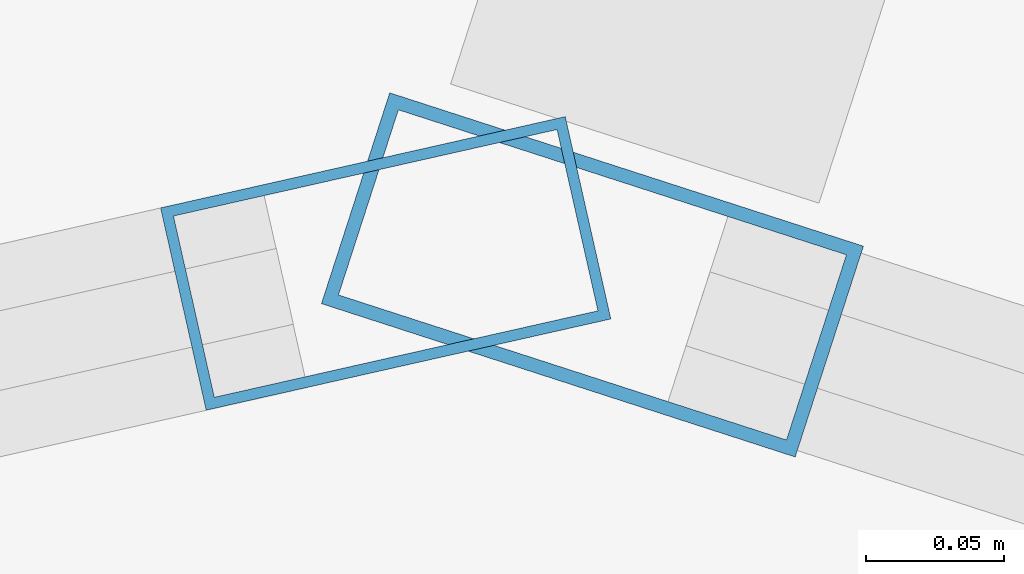
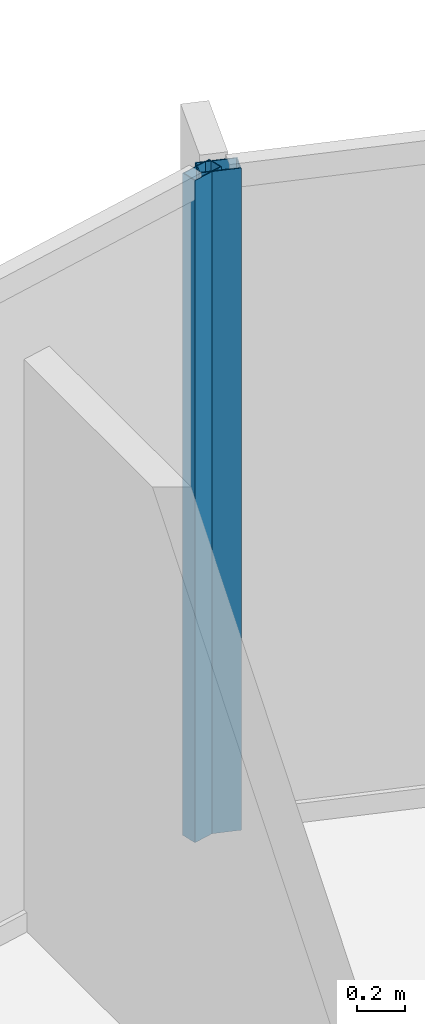
# One storey, part 20 of 32: 2 members, 2 elements without a shape of their own.
"""IFC4 building model written with IfcOpenShell, lengths in metres."""

from ifc_helpers import new_model, si_unit, direction, frame, origin, origin_2d, place, context, subcontext, project, spatial, hollow_rectangle, extrude, material, layer, layer_set, material_profile, profile_set, type_object, element, aggregate, save


model = new_model("IFC4")

# Units and contexts
model_context = context("Model", 3, precision=1e-05, world=origin(), true_north=direction((0.0, 1.0)))
body_context = subcontext(model_context, "Body", "Model", "MODEL_VIEW")
ifc_project = project(units=[si_unit("LENGTHUNIT", "METRE"), si_unit("AREAUNIT", "SQUARE_METRE"), si_unit("VOLUMEUNIT", "CUBIC_METRE"), si_unit("PLANEANGLEUNIT", "RADIAN"), si_unit("MASSUNIT", "GRAM", prefix="KILO")], contexts=[model_context])

# Site, building, storey
site_placement = place(None, origin())
site = spatial("IfcSite", under=ifc_project, at=site_placement, CompositionType="ELEMENT")
building_placement = place(site_placement, origin())
building = spatial("IfcBuilding", under=site, at=building_placement, Name="Kazevale Care Tower and Concert Hall", CompositionType="ELEMENT")
storey_placement = place(building_placement, frame((0.0, 0.0, 24.0)))
storey = spatial("IfcBuildingStorey", under=building, at=storey_placement, Name="L05", CompositionType="ELEMENT", Elevation=24.0)

# Curtain wall, member
ifc_material_1 = material(Name="Aluminium 6063-T6 and Low-E Glass", Category="aluminium")
ifc_layer_1 = layer(ifc_material_1, 0.179931640625)
ifc_layer_set_1 = layer_set([ifc_layer_1], Name="Aluminium 6063-T6 and Low-E Glass")
curtain_wall_type_1 = type_object("IfcCurtainWallType", Name="Convex Checkerboard Finned Curtain Wall CW-2", PredefinedType="NOTDEFINED", material=ifc_layer_set_1)
curtain_wall_1_placement = place(storey_placement, origin())
curtain_wall_1 = element("IfcCurtainWall", 1, at=curtain_wall_1_placement, inside=storey, type_object=curtain_wall_type_1, Name="cw:L05:f16", PredefinedType="NOTDEFINED")
ifc_material_2 = material(Name="Aluminium 6063-T6", Category="aluminium")
ifc_material_profile_1 = material_profile(ifc_material_2, hollow_rectangle(XDim=0.080078125, YDim=0.179931640625, WallThickness=0.0048828125, at=origin_2d()), Name="ALU80x180x5")
ifc_profile_set_1 = profile_set([ifc_material_profile_1], Name="Aluminium 6063-T6")
member_type_1 = type_object("IfcMemberType", Name="CW-2 Mullion ALU80x180x5", PredefinedType="MULLION", material=ifc_profile_set_1)
member_1_placement = place(storey_placement, frame((44.9970703125, 67.355712890625, 0.0), z_axis=(0.0, 0.0, 1.0), x_axis=(0.307925769029, 0.951410385043, 0.0)))
member_1 = element("IfcMember", 2, at=member_1_placement, type_object=member_type_1, Name="CW-2 mullion 1", PredefinedType="MULLION", context=body_context, shape_type="SweptSolid", body=[
    extrude(hollow_rectangle(XDim=0.080078125, YDim=0.179931640625, WallThickness=0.0048828125, at=origin_2d()), origin(), (0.0, 0.0, 1.0), 3.360107421875),
])
aggregate(curtain_wall_1, [member_1])

ifc_layer_2 = layer(ifc_material_1, 0.179931640625)
ifc_layer_set_2 = layer_set([ifc_layer_2], Name="Aluminium 6063-T6 and Low-E Glass")
curtain_wall_type_2 = type_object("IfcCurtainWallType", Name="Convex Recessed Sunroom Curtain Wall CW-3", PredefinedType="NOTDEFINED", material=ifc_layer_set_2)
curtain_wall_2_placement = place(storey_placement, origin())
curtain_wall_2 = element("IfcCurtainWall", 3, at=curtain_wall_2_placement, inside=storey, type_object=curtain_wall_type_2, Name="cw:L05:f15", PredefinedType="NOTDEFINED")
ifc_material_profile_2 = material_profile(ifc_material_2, hollow_rectangle(XDim=0.074951171875, YDim=0.14990234375, WallThickness=0.00390625, at=origin_2d()), Name="ALU75x150x4")
ifc_profile_set_2 = profile_set([ifc_material_profile_2], Name="Aluminium 6063-T6")
member_type_2 = type_object("IfcMemberType", Name="CW-3 Mullion ALU75x150x4", PredefinedType="MULLION", material=ifc_profile_set_2)
member_2_placement = place(storey_placement, frame((44.92236328125, 67.35986328125, 0.0), z_axis=(0.0, 0.0, 1.0), x_axis=(-0.219910670667, 0.975520013596, 0.0)))
member_2 = element("IfcMember", 4, at=member_2_placement, type_object=member_type_2, Name="CW-3 mullion 2", PredefinedType="MULLION", context=body_context, shape_type="SweptSolid", body=[
    extrude(hollow_rectangle(XDim=0.074951171875, YDim=0.14990234375, WallThickness=0.00390625, at=origin_2d()), origin(), (0.0, 0.0, 1.0), 3.360107421875),
])
aggregate(curtain_wall_2, [member_2])

save(model, "model.ifc")
